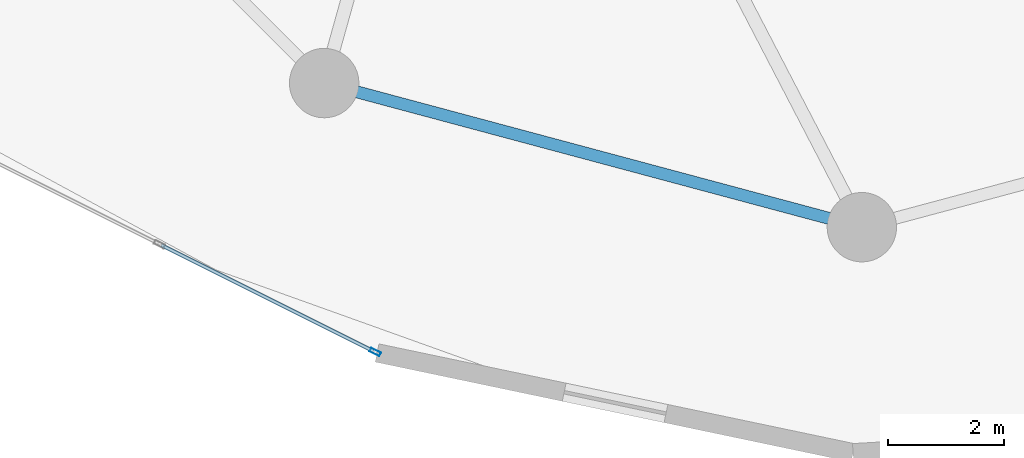
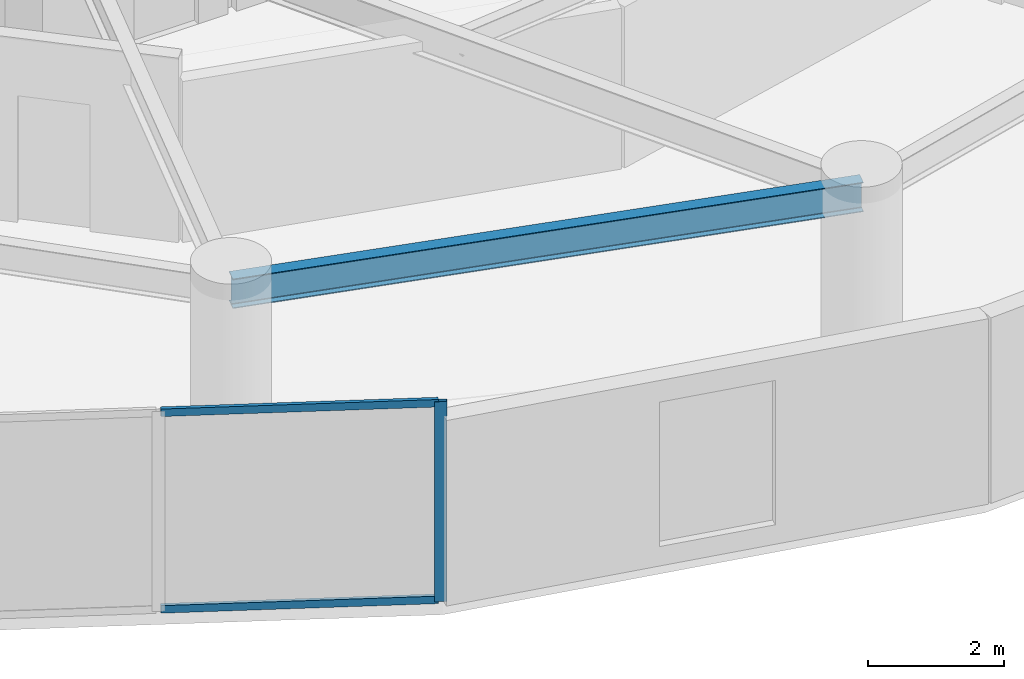
# One storey, part 4 of 26: 3 members, 1 beam, 1 element without a shape of its own.
"""IFC4 building model written with IfcOpenShell, lengths in metres."""

from ifc_helpers import new_model, si_unit, direction, frame, origin, origin_2d, place, context, subcontext, project, spatial, hollow_rectangle, i_section, extrude, source, transform, mapped, material, layer, layer_set, material_profile, profile_set, type_object, element, aggregate, save


model = new_model("IFC4")

# Units and contexts
model_context = context("Model", 3, precision=1e-05, world=origin(), true_north=direction((0.0, 1.0)))
body_context = subcontext(model_context, "Body", "Model", "MODEL_VIEW")
ifc_project = project(units=[si_unit("LENGTHUNIT", "METRE"), si_unit("AREAUNIT", "SQUARE_METRE"), si_unit("VOLUMEUNIT", "CUBIC_METRE"), si_unit("PLANEANGLEUNIT", "RADIAN"), si_unit("MASSUNIT", "GRAM", prefix="KILO")], contexts=[model_context])

# Site, building, storey
site_placement = place(None, origin())
site = spatial("IfcSite", under=ifc_project, at=site_placement, CompositionType="ELEMENT")
building_placement = place(site_placement, origin())
building = spatial("IfcBuilding", under=site, at=building_placement, Name="Solvirekh Grand Hotel", CompositionType="ELEMENT")
storey_placement = place(building_placement, frame((0.0, 0.0, 71.60009765625)))
storey = spatial("IfcBuildingStorey", under=building, at=storey_placement, Name="L17", CompositionType="ELEMENT", Elevation=71.60009765625)

# Beam
ifc_material_1 = material(Name="Steel S355", Category="steel")
ifc_material_profile_1 = material_profile(ifc_material_1, i_section(OverallWidth=0.208984375, OverallDepth=0.532958984375, WebThickness=0.010009765625, FlangeThickness=0.014892578125, FilletRadius=0.013916015625, at=origin_2d()), Name="W530X92")
ifc_profile_set_1 = profile_set([ifc_material_profile_1], Name="Steel S355")
beam_type = type_object("IfcBeamType", Name="Spandrel_Ring_W530", PredefinedType="SPANDREL", material=ifc_profile_set_1)
beam_placement = place(storey_placement, frame((-9.300048828125, -16.10791015625, 3.073974609375), z_axis=(0.965919414426, -0.258842973314, 0.0), x_axis=(0.258842973314, 0.965919414426, 0.0)))
element("IfcBeam", 1, at=beam_placement, inside=storey, type_object=beam_type, Name="L17 perimeter spandrel beam 9", PredefinedType="SPANDREL", context=body_context, shape_type="SweptSolid", body=[
    extrude(i_section(OverallWidth=0.208984375, OverallDepth=0.532958984375, WebThickness=0.010009765625, FlangeThickness=0.014892578125, FilletRadius=0.013916015625, at=origin_2d()), origin(), (0.0, 0.0, 1.0), 9.628173828125),
])

# Curtain wall, members
ifc_material_2 = material(Name="Anodized Bronze Aluminium 6063-T6", Category="aluminium")
ifc_layer = layer(ifc_material_2, 0.18994140625)
ifc_layer_set = layer_set([ifc_layer], Name="Anodized Bronze Aluminium 6063-T6")
curtain_wall_type = type_object("IfcCurtainWallType", Name="CW_Sys2_LowZoneFlushBronzeCW", PredefinedType="NOTDEFINED", material=ifc_layer_set)
curtain_wall_placement = place(storey_placement, origin())
curtain_wall = element("IfcCurtainWall", 2, at=curtain_wall_placement, inside=storey, type_object=curtain_wall_type, Name="L17 unitised bronze-glass curtain wall CW-L17-C15", PredefinedType="NOTDEFINED")
ifc_material_profile_2 = material_profile(ifc_material_2, hollow_rectangle(XDim=0.070068359375, YDim=0.18994140625, WallThickness=0.0048828125, at=origin_2d()), Name="ALU RHS 190X70X5")
ifc_profile_set_2 = profile_set([ifc_material_profile_2], Name="Anodized Bronze Aluminium 6063-T6")
member_type_1 = type_object("IfcMemberType", Name="CWMullion_Sys2", PredefinedType="MULLION", material=ifc_profile_set_2)
shared_shape_1 = source(origin(), body_context, "Body", "SweptSolid", [
    extrude(hollow_rectangle(XDim=0.070068359375, YDim=0.18994140625, WallThickness=0.0048828125, at=origin_2d()), origin(), (0.0, 0.0, 1.0), 3.599853515625),
])
member_1_placement = place(storey_placement, frame((-8.416259765625, -20.76025390625, 0.0), z_axis=(0.0, 0.0, 1.0), x_axis=(0.446975826596, 0.894546035953, 0.0)))
member_1 = element("IfcMember", 3, at=member_1_placement, type_object=member_type_1, Name="U02 mullion 3", PredefinedType="MULLION", context=body_context, shape_type="MappedRepresentation", body=[
    mapped(shared_shape_1, transform((0.0, 0.0, 0.0), x_axis=(1.0, 0.0, 0.0), y_axis=(0.0, 1.0, 0.0), z_axis=(0.0, 0.0, 1.0), scale=1.0)),
])
ifc_material_profile_3 = material_profile(ifc_material_2, hollow_rectangle(XDim=0.06005859375, YDim=0.135009765625, WallThickness=0.00390625, at=origin_2d()), Name="ALU RHS 135X60X4")
ifc_profile_set_3 = profile_set([ifc_material_profile_3], Name="Anodized Bronze Aluminium 6063-T6")
member_type_2 = type_object("IfcMemberType", Name="CWTransom_Sys2", PredefinedType="USERDEFINED", material=ifc_profile_set_3)
shared_shape_2 = source(origin(), body_context, "Body", "SweptSolid", [
    extrude(hollow_rectangle(XDim=0.06005859375, YDim=0.135009765625, WallThickness=0.00390625, at=origin_2d()), origin(), (0.0, 0.0, 1.0), 4.10107421875),
])
member_2_placement = place(storey_placement, frame((-12.1162109375, -18.91162109375, 0.02978515625), z_axis=(0.894558118765, -0.446951644086, 0.0), x_axis=(0.446951644086, 0.894558118765, 0.0)))
member_2 = element("IfcMember", 4, at=member_2_placement, type_object=member_type_2, Name="U02 transom 2.1", ObjectType="TRANSOM", PredefinedType="USERDEFINED", context=body_context, shape_type="MappedRepresentation", body=[
    mapped(shared_shape_2, transform((0.0, 0.0, 0.0), x_axis=(1.0, 0.0, 0.0), y_axis=(0.0, 1.0, 0.0), z_axis=(0.0, 0.0, 1.0), scale=1.0)),
])
member_3_placement = place(storey_placement, frame((-12.1162109375, -18.91162109375, 3.56982421875), z_axis=(0.894558118765, -0.446951644086, 0.0), x_axis=(0.446951644086, 0.894558118765, 0.0)))
member_3 = element("IfcMember", 5, at=member_3_placement, type_object=member_type_2, Name="U02 transom 2.2", ObjectType="TRANSOM", PredefinedType="USERDEFINED", context=body_context, shape_type="MappedRepresentation", body=[
    mapped(shared_shape_2, transform((0.0, 0.0, 0.0), x_axis=(1.0, 0.0, 0.0), y_axis=(0.0, 1.0, 0.0), z_axis=(0.0, 0.0, 1.0), scale=1.0)),
])
aggregate(curtain_wall, [member_1, member_2, member_3])

save(model, "model.ifc")
